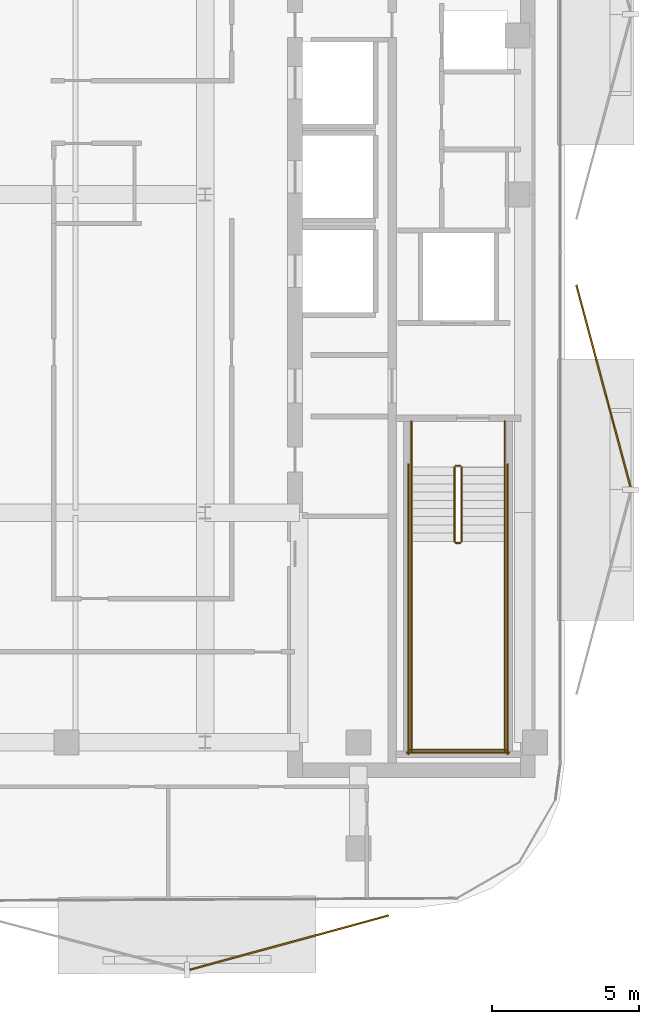
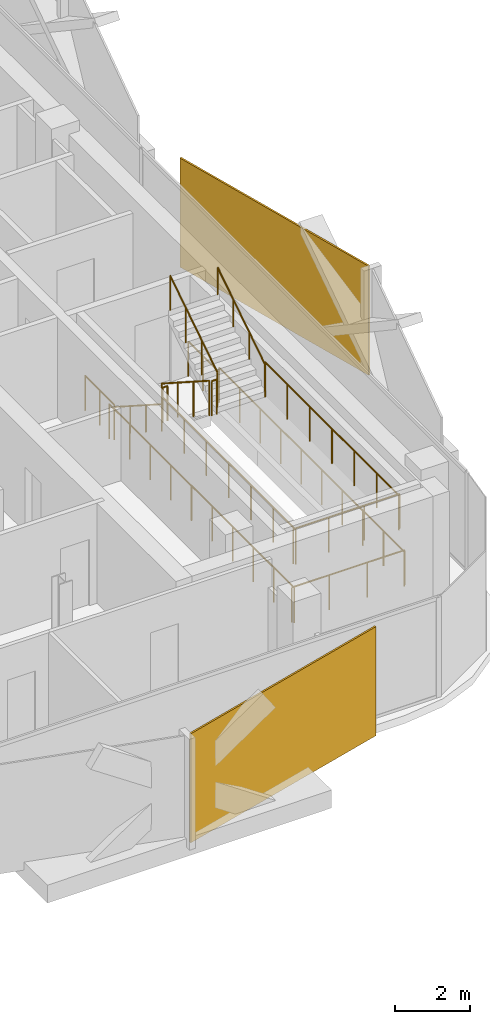
# One storey, part 14 of 15: 14 railings, 2 coverings.
"""IFC4 building model written with IfcOpenShell, lengths in metres."""

import ifcopenshell
import ifcopenshell.guid

model = None  # the IFC model being written
_history = None  # IfcOwnerHistory: only IFC2X3 demands one
_inside = {}  # id of a spatial element -> (the spatial element, [elements in it])
_under = {}  # id of a project, library or spatial element -> (it, [spatial elements below it])
_declared = {}  # id of a project -> (the project, [libraries it declares])
_typed = {}  # id of a type object -> (the type object, [elements of that type])
_made_of = {}  # id of a material, layer set ... -> (it, [elements and type objects made of it])


def new_model(schema):
    """Start an empty IFC model of exactly this schema.

    Asked for "IFC4X3", IfcOpenShell would pick the latest addendum, in which some entities
    have other attributes; the version numbers below select the first issue.
    IFC2X3 requires an IfcOwnerHistory on every rooted entity: one is made here for all.
    """
    global model, _history
    if schema == "IFC4X3":
        model = ifcopenshell.file(schema_version=(4, 3, 0, 0))
    else:
        model = ifcopenshell.file(schema=schema)
    _inside.clear()
    _under.clear()
    _declared.clear()
    _typed.clear()
    _made_of.clear()
    _history = None
    if model.schema == "IFC2X3":
        org = make("IfcOrganization", Name="unknown")
        user = make(
            "IfcPersonAndOrganization",
            ThePerson=make("IfcPerson", FamilyName="unknown"),
            TheOrganization=org,
        )
        app = make(
            "IfcApplication",
            ApplicationDeveloper=org,
            Version="unknown",
            ApplicationFullName="unknown",
            ApplicationIdentifier="unknown",
        )
        _history = make(
            "IfcOwnerHistory",
            OwningUser=user,
            OwningApplication=app,
            ChangeAction="ADDED",
            CreationDate=0,
        )
    return model


def make(cls, **values):
    """One entity of the class cls with the attributes given. An attribute that is None is left unset."""
    return model.create_entity(
        cls, **{name: value for name, value in values.items() if value is not None}
    )


def rooted(cls, **values):
    """An entity with a GlobalId (a new one), such as an element, a storey or a relation."""
    return make(cls, GlobalId=ifcopenshell.guid.new(), OwnerHistory=_history, **values)


def si_unit(unit_type, name, prefix=None):
    """IfcSIUnit, for example si_unit("LENGTHUNIT", "METRE", prefix="MILLI")."""
    return make("IfcSIUnit", UnitType=unit_type, Prefix=prefix, Name=name)


def assignment(units):
    """IfcUnitAssignment: the units of a project."""
    return None if units is None else make("IfcUnitAssignment", Units=units)


def point(xyz):
    """IfcCartesianPoint."""
    return None if xyz is None else make("IfcCartesianPoint", Coordinates=xyz)


def direction(xyz):
    """IfcDirection."""
    return None if xyz is None else make("IfcDirection", DirectionRatios=xyz)


def frame(location, z_axis=None, x_axis=None):
    """IfcAxis2Placement3D, a coordinate frame: its origin and axes. An axis left out is left unset."""
    return make(
        "IfcAxis2Placement3D",
        Location=point(location),
        Axis=direction(z_axis),
        RefDirection=direction(x_axis),
    )


def frame_2d(location, x_axis=None):
    """IfcAxis2Placement2D, a coordinate frame in the plane: its origin and x axis."""
    return make(
        "IfcAxis2Placement2D", Location=point(location), RefDirection=direction(x_axis)
    )


def origin():
    """The frame at (0, 0, 0) with its axes left unset."""
    return frame((0.0, 0.0, 0.0))


def origin_2d():
    """The frame at (0, 0) in the plane with its x axis left unset."""
    return frame_2d((0.0, 0.0))


def place(relative_to, where):
    """IfcLocalPlacement: puts the frame where relative to a parent placement (None: the world)."""
    return make(
        "IfcLocalPlacement", PlacementRelTo=relative_to, RelativePlacement=where
    )


def context(
    kind, dimensions, precision=None, world=None, true_north=None, identifier=None
):
    """IfcGeometricRepresentationContext, for example the 3D "Model" context."""
    return make(
        "IfcGeometricRepresentationContext",
        ContextIdentifier=identifier,
        ContextType=kind,
        CoordinateSpaceDimension=dimensions,
        Precision=precision,
        WorldCoordinateSystem=world,
        TrueNorth=true_north,
    )


def subcontext(parent, identifier, kind, view, scale=None):
    """IfcGeometricRepresentationSubContext, for example "Body" below "Model"."""
    return make(
        "IfcGeometricRepresentationSubContext",
        ContextIdentifier=identifier,
        ContextType=kind,
        ParentContext=parent,
        TargetScale=scale,
        TargetView=view,
    )


def project(units=None, contexts=None):
    """IfcProject with its units and contexts."""
    return rooted(
        "IfcProject",
        Name="project",
        RepresentationContexts=contexts,
        UnitsInContext=assignment(units),
    )


def spatial(cls, under=None, at=None, **own):
    """A site, building, storey or space (cls), placed at a placement, below another one or the project."""
    s = rooted(cls, ObjectPlacement=at, **own)
    if under is not None:
        _under.setdefault(under.id(), (under, []))[1].append(s)
    return s


def profile(cls, at=None, kind="AREA", **sizes):
    """A parametric profile (cls). Its sizes go by their IFC names, for example OverallWidth=200.0."""
    return make(cls, ProfileType=kind, Position=at, **sizes)


def rectangle(**sizes):
    """IfcRectangleProfileDef."""
    return profile("IfcRectangleProfileDef", **sizes)


def circle(**sizes):
    """IfcCircleProfileDef."""
    return profile("IfcCircleProfileDef", **sizes)


def extrude(swept, where, along, depth):
    """IfcExtrudedAreaSolid: the profile swept, set in the frame where, extruded along a direction by depth."""
    return make(
        "IfcExtrudedAreaSolid",
        SweptArea=swept,
        Position=where,
        ExtrudedDirection=direction(along),
        Depth=depth,
    )


def shape(context_of_items, identifier, shape_type, items):
    """IfcShapeRepresentation: the items that make up one representation, for example the "Body"."""
    return make(
        "IfcShapeRepresentation",
        ContextOfItems=context_of_items,
        RepresentationIdentifier=identifier,
        RepresentationType=shape_type,
        Items=items,
    )


def material(Name=None, Category=None):
    """IfcMaterial."""
    return make("IfcMaterial", Name=Name, Category=Category)


def layer(
    of_material, thickness, ventilated=None, Name=None, Category=None, Priority=None
):
    """IfcMaterialLayer: one layer of a wall or slab, of a material (None: an air gap)."""
    return make(
        "IfcMaterialLayer",
        Material=of_material,
        LayerThickness=thickness,
        IsVentilated=ventilated,
        Name=Name,
        Category=Category,
        Priority=Priority,
    )


def layer_set(layers, Name=None):
    """IfcMaterialLayerSet."""
    return make("IfcMaterialLayerSet", MaterialLayers=layers, LayerSetName=Name)


def made_of(thing, what):
    """Note that an element or type object is made of a material, layer set ...; save() writes the relation."""
    if what is not None:
        _made_of.setdefault(what.id(), (what, []))[1].append(thing)
    return thing


def type_object(cls, material=None, **own):
    """A type object (cls), such as IfcWallType, which elements share."""
    return made_of(rooted(cls, **own), material)


def element(
    cls,
    number,
    at=None,
    inside=None,
    cuts=None,
    type_object=None,
    material=None,
    context=None,
    identifier="Body",
    shape_type=None,
    held_by="IfcProductDefinitionShape",
    body=None,
    shapes=None,
    **own,
):
    """One element of the class cls, such as IfcWall. Its Tag is "e" and its number.

    at: its placement. inside: the storey or other place that contains it. cuts: it is an
    opening in that element (IfcRelVoidsElement). A single representation is given by context,
    identifier, shape_type and body (its items); several are given by shapes. held_by: the class
    of the entity that holds the representations. save() writes the other relations.
    """
    e = rooted(cls, Tag="e%d" % number, ObjectPlacement=at, **own)
    if body is not None:
        shapes = [shape(context, identifier, shape_type, body)]
    if shapes is not None:
        e.Representation = make(held_by, Representations=shapes)
    if inside is not None:
        _inside.setdefault(inside.id(), (inside, []))[1].append(e)
    if cuts is not None:
        rooted(
            "IfcRelVoidsElement", RelatingBuildingElement=cuts, RelatedOpeningElement=e
        )
    if type_object is not None:
        _typed.setdefault(type_object.id(), (type_object, []))[1].append(e)
    return made_of(e, material)


def aggregate(whole, parts):
    """IfcRelAggregates: a whole, such as a stair, and the parts it consists of."""
    return rooted("IfcRelAggregates", RelatingObject=whole, RelatedObjects=parts)


def save(model, path):
    """Write the relations noted so far, then the file.

    IfcRelAggregates (storeys below a building ...), IfcRelContainedInSpatialStructure (elements
    in a storey), IfcRelDefinesByType, IfcRelAssociatesMaterial and IfcRelDeclares: one each for
    every whole, place, type object, material and project.
    """
    for whole, parts in _under.values():
        aggregate(whole, parts)
    for where, things in _inside.values():
        rooted(
            "IfcRelContainedInSpatialStructure",
            RelatedElements=things,
            RelatingStructure=where,
        )
    for kind, things in _typed.values():
        rooted("IfcRelDefinesByType", RelatedObjects=things, RelatingType=kind)
    for what, things in _made_of.values():
        rooted("IfcRelAssociatesMaterial", RelatedObjects=things, RelatingMaterial=what)
    for by, libraries in _declared.values():
        rooted("IfcRelDeclares", RelatingContext=by, RelatedDefinitions=libraries)
    model.write(path)


model = new_model("IFC4")

# Units and contexts
model_context = context("Model", 3, precision=1e-05, world=origin(), true_north=direction((0.0, 1.0)))
body_context = subcontext(model_context, "Body", "Model", "MODEL_VIEW")
ifc_project = project(units=[si_unit("LENGTHUNIT", "METRE"), si_unit("AREAUNIT", "SQUARE_METRE"), si_unit("VOLUMEUNIT", "CUBIC_METRE"), si_unit("PLANEANGLEUNIT", "RADIAN"), si_unit("MASSUNIT", "GRAM", prefix="KILO")], contexts=[model_context])

# Site, building, storey
site_placement = place(None, origin())
site = spatial("IfcSite", under=ifc_project, at=site_placement, CompositionType="ELEMENT")
building_placement = place(site_placement, origin())
building = spatial("IfcBuilding", under=site, at=building_placement, Name="Khairoan Windgate Tower", CompositionType="ELEMENT")
storey_placement = place(building_placement, frame((0.0, 0.0, 269.199951171875)))
storey = spatial("IfcBuildingStorey", under=building, at=storey_placement, Name="L64", CompositionType="ELEMENT", Elevation=269.199951171875)

# Coverings
ifc_material_1 = material(Name="Anodised Bronze Aluminium 6063-T6", Category="aluminium")
ifc_layer = layer(ifc_material_1, 0.054931640625, Name="Anodised Bronze Aluminium 6063-T6")
ifc_layer_set = layer_set([ifc_layer], Name="Anodised Bronze Aluminium 6063-T6")
covering_type = type_object("IfcCoveringType", Name="Perforated Bronze-Ceramic Folded Solar Screen Cladding BSC-1", PredefinedType="CLADDING", material=ifc_layer_set)
covering_1_placement = place(storey_placement, frame((12.05419921875, -25.397705078125, -0.099853515625), z_axis=(0.0, 0.0, 1.0), x_axis=(-0.964695449838, -0.263367972734, 0.0)))
element("IfcCovering", 1, at=covering_1_placement, inside=storey, type_object=covering_type, Name="L64 Folded Bronze Solar Screen Facet 441L", PredefinedType="CLADDING", context=body_context, shape_type="SweptSolid", body=[
    extrude(rectangle(XDim=7.0009765625, YDim=0.054931640625, at=origin_2d()), origin(), (0.0, 0.0, 1.0), 3.5400390625),
])
covering_2_placement = place(storey_placement, frame((22.72119140625, -6.503662109375, -0.099853515625), z_axis=(0.0, 0.0, 1.0), x_axis=(0.258819045103, -0.965925826289, 0.0)))
element("IfcCovering", 2, at=covering_2_placement, inside=storey, type_object=covering_type, Name="L64 Folded Bronze Solar Screen Facet 448L", PredefinedType="CLADDING", context=body_context, shape_type="SweptSolid", body=[
    extrude(rectangle(XDim=7.10009765625, YDim=0.054931640625, at=origin_2d()), origin(), (0.0, 0.0, 1.0), 3.5400390625),
])

# Railings
ifc_material_2 = material(Name="Anodised Bronze Aluminium 6063-T6", Category="aluminium")
railing_type_1 = type_object("IfcRailingType", Name="Stair Wall Handrail SHR-900", PredefinedType="HANDRAIL", material=ifc_material_2)
railing_1_placement = place(storey_placement, frame((16.199951171875, -9.260009765625, 0.179931640625)))
element("IfcRailing", 3, at=railing_1_placement, inside=storey, type_object=railing_type_1, Name="L64 ST1 stair handrail 1", PredefinedType="HANDRAIL", context=body_context, shape_type="SweptSolid", body=[
    extrude(circle(Radius=0.02392578125, at=origin_2d()), frame((0.0, 0.0, 0.8759765625), z_axis=(0.0, -0.841162588446, 0.540782303519), x_axis=(1.0, 0.0, 0.0)), (0.0, 0.0, 1.0), 2.995849609375),
    extrude(circle(Radius=0.02099609375, at=origin_2d()), origin(), (0.0, 0.0, 1.0), 0.851806640625),
    extrude(circle(Radius=0.02099609375, at=origin_2d()), frame((0.0, -0.840087890625, 0.5400390625)), (0.0, 0.0, 1.0), 0.851806640625),
    extrude(circle(Radius=0.02099609375, at=origin_2d()), frame((0.0, -1.679931640625, 1.080078125)), (0.0, 0.0, 1.0), 0.851806640625),
    extrude(circle(Radius=0.02099609375, at=origin_2d()), frame((0.0, -2.52001953125, 1.6201171875)), (0.0, 0.0, 1.0), 0.851806640625),
])
railing_2_placement = place(storey_placement, frame((19.3701171875, -11.780029296875, 1.97998046875)))
element("IfcRailing", 4, at=railing_2_placement, inside=storey, type_object=railing_type_1, Name="L64 ST1 stair handrail 2", PredefinedType="HANDRAIL", context=body_context, shape_type="SweptSolid", body=[
    extrude(circle(Radius=0.02392578125, at=origin_2d()), frame((0.0, 0.0, 0.8759765625), z_axis=(0.0, 0.841162588446, 0.540782303519), x_axis=(-1.0, 0.0, 0.0)), (0.0, 0.0, 1.0), 2.995849609375),
    extrude(circle(Radius=0.02099609375, at=origin_2d()), origin(), (0.0, 0.0, 1.0), 0.851806640625),
    extrude(circle(Radius=0.02099609375, at=origin_2d()), frame((0.0, 0.840087890625, 0.5400390625)), (0.0, 0.0, 1.0), 0.851806640625),
    extrude(circle(Radius=0.02099609375, at=origin_2d()), frame((0.0, 1.679931640625, 1.080078125)), (0.0, 0.0, 1.0), 0.851806640625),
    extrude(circle(Radius=0.02099609375, at=origin_2d()), frame((0.0, 2.52001953125, 1.6201171875)), (0.0, 0.0, 1.0), 0.851806640625),
])
ifc_material_3 = material(Name="Steel S355", Category="steel")
railing_type_2 = type_object("IfcRailingType", Name="Stairwell Safety Guardrail SGR-1150", PredefinedType="GUARDRAIL", material=ifc_material_3)
railing_3_placement = place(storey_placement, frame((17.659912109375, -9.260009765625, 0.179931640625)))
element("IfcRailing", 5, at=railing_3_placement, inside=storey, type_object=railing_type_2, Name="L64 ST1 stair guard 1", PredefinedType="GUARDRAIL", context=body_context, shape_type="SweptSolid", body=[
    extrude(circle(Radius=0.02392578125, at=origin_2d()), frame((0.0, 0.0, 1.1259765625), z_axis=(0.0, -0.841162588446, 0.540782303519), x_axis=(1.0, 0.0, 0.0)), (0.0, 0.0, 1.0), 2.995849609375),
    extrude(circle(Radius=0.02099609375, at=origin_2d()), origin(), (0.0, 0.0, 1.0), 1.101806640625),
    extrude(circle(Radius=0.02099609375, at=origin_2d()), frame((0.0, -0.840087890625, 0.5400390625)), (0.0, 0.0, 1.0), 1.101806640625),
    extrude(circle(Radius=0.02099609375, at=origin_2d()), frame((0.0, -1.679931640625, 1.080078125)), (0.0, 0.0, 1.0), 1.101806640625),
    extrude(circle(Radius=0.02099609375, at=origin_2d()), frame((0.0, -2.52001953125, 1.6201171875)), (0.0, 0.0, 1.0), 1.101806640625),
])
railing_4_placement = place(storey_placement, frame((17.7099609375, -11.830078125, 1.800048828125)))
element("IfcRailing", 6, at=railing_4_placement, inside=storey, type_object=railing_type_2, Name="L64 ST1 stair guard 2", PredefinedType="GUARDRAIL", context=body_context, shape_type="SweptSolid", body=[
    extrude(circle(Radius=0.02392578125, at=origin_2d()), frame((0.0, 0.0, 1.1259765625), z_axis=(1.0, 0.0, 0.0), x_axis=(0.0, 1.0, 0.0)), (0.0, 0.0, 1.0), 0.150146484375),
    extrude(circle(Radius=0.02099609375, at=origin_2d()), origin(), (0.0, 0.0, 1.0), 1.101806640625),
    extrude(circle(Radius=0.02099609375, at=origin_2d()), frame((0.150146484375, 0.0, 0.0)), (0.0, 0.0, 1.0), 1.101806640625),
])
for number, where, name in (
    (7, (16.199951171875, -11.780029296875, 1.800048828125), "L64 ST1 stair guard 3"),
    (8, (19.3701171875, -11.780029296875, 1.800048828125), "L64 ST1 stair guard 4"),
):
    element("IfcRailing", number, at=place(storey_placement, frame(where)), inside=storey, type_object=railing_type_2, Name=name, PredefinedType="GUARDRAIL", context=body_context, shape_type="SweptSolid", body=[
        extrude(circle(Radius=0.02392578125, at=origin_2d()), frame((0.0, 0.0, 1.1259765625), z_axis=(0.0, -1.0, 0.0), x_axis=(1.0, 0.0, 0.0)), (0.0, 0.0, 1.0), 7.119873046875),
        extrude(circle(Radius=0.02099609375, at=origin_2d()), origin(), (0.0, 0.0, 1.0), 1.101806640625),
        extrude(circle(Radius=0.02099609375, at=origin_2d()), frame((0.0, -1.1865234375, 0.0)), (0.0, 0.0, 1.0), 1.101806640625),
        extrude(circle(Radius=0.02099609375, at=origin_2d()), frame((0.0, -2.373291015625, 0.0)), (0.0, 0.0, 1.0), 1.101806640625),
        extrude(circle(Radius=0.02099609375, at=origin_2d()), frame((0.0, -3.56005859375, 0.0)), (0.0, 0.0, 1.0), 1.101806640625),
        extrude(circle(Radius=0.02099609375, at=origin_2d()), frame((0.0, -4.74658203125, 0.0)), (0.0, 0.0, 1.0), 1.101806640625),
        extrude(circle(Radius=0.02099609375, at=origin_2d()), frame((0.0, -5.93310546875, 0.0)), (0.0, 0.0, 1.0), 1.101806640625),
        extrude(circle(Radius=0.02099609375, at=origin_2d()), frame((0.0, -7.119873046875, 0.0)), (0.0, 0.0, 1.0), 1.101806640625),
    ])
railing_5_placement = place(storey_placement, frame((16.14990234375, -18.85009765625, 1.800048828125)))
element("IfcRailing", 9, at=railing_5_placement, inside=storey, type_object=railing_type_2, Name="L64 ST1 stair guard 5", PredefinedType="GUARDRAIL", context=body_context, shape_type="SweptSolid", body=[
    extrude(circle(Radius=0.02392578125, at=origin_2d()), frame((0.0, 0.0, 1.1259765625), z_axis=(1.0, 0.0, 0.0), x_axis=(0.0, 1.0, 0.0)), (0.0, 0.0, 1.0), 3.27001953125),
    extrude(circle(Radius=0.02099609375, at=origin_2d()), origin(), (0.0, 0.0, 1.0), 1.101806640625),
    extrude(circle(Radius=0.02099609375, at=origin_2d()), frame((1.090087890625, 0.0, 0.0)), (0.0, 0.0, 1.0), 1.101806640625),
    extrude(circle(Radius=0.02099609375, at=origin_2d()), frame((2.179931640625, 0.0, 0.0)), (0.0, 0.0, 1.0), 1.101806640625),
    extrude(circle(Radius=0.02099609375, at=origin_2d()), frame((3.27001953125, 0.0, 0.0)), (0.0, 0.0, 1.0), 1.101806640625),
])
railing_6_placement = place(storey_placement, frame((17.909912109375, -11.780029296875, 1.97998046875)))
element("IfcRailing", 10, at=railing_6_placement, inside=storey, type_object=railing_type_2, Name="L64 ST1 stair guard 6", PredefinedType="GUARDRAIL", context=body_context, shape_type="SweptSolid", body=[
    extrude(circle(Radius=0.02392578125, at=origin_2d()), frame((0.0, 0.0, 1.1259765625), z_axis=(0.0, 0.841162588446, 0.540782303519), x_axis=(-1.0, 0.0, 0.0)), (0.0, 0.0, 1.0), 2.995849609375),
    extrude(circle(Radius=0.02099609375, at=origin_2d()), origin(), (0.0, 0.0, 1.0), 1.101806640625),
    extrude(circle(Radius=0.02099609375, at=origin_2d()), frame((0.0, 0.840087890625, 0.5400390625)), (0.0, 0.0, 1.0), 1.101806640625),
    extrude(circle(Radius=0.02099609375, at=origin_2d()), frame((0.0, 1.679931640625, 1.080078125)), (0.0, 0.0, 1.0), 1.101806640625),
    extrude(circle(Radius=0.02099609375, at=origin_2d()), frame((0.0, 2.52001953125, 1.6201171875)), (0.0, 0.0, 1.0), 1.101806640625),
])
railing_7_placement = place(storey_placement, frame((17.7099609375, -9.2099609375, 0.0)))
element("IfcRailing", 11, at=railing_7_placement, inside=storey, type_object=railing_type_2, Name="L64 ST1 stair guard 7", PredefinedType="GUARDRAIL", context=body_context, shape_type="SweptSolid", body=[
    extrude(circle(Radius=0.02392578125, at=origin_2d()), frame((0.0, 0.0, 1.1259765625), z_axis=(1.0, 0.0, 0.0), x_axis=(0.0, 1.0, 0.0)), (0.0, 0.0, 1.0), 0.150146484375),
    extrude(circle(Radius=0.02099609375, at=origin_2d()), origin(), (0.0, 0.0, 1.0), 1.101806640625),
    extrude(circle(Radius=0.02099609375, at=origin_2d()), frame((0.150146484375, 0.0, 0.0)), (0.0, 0.0, 1.0), 1.101806640625),
])
for number, where, name in (
    (12, (16.199951171875, -7.699951171875, 0.0), "L64 ST1 stair guard 8"),
    (13, (19.3701171875, -7.699951171875, 0.0), "L64 ST1 stair guard 9"),
):
    element("IfcRailing", number, at=place(storey_placement, frame(where)), inside=storey, type_object=railing_type_2, Name=name, PredefinedType="GUARDRAIL", context=body_context, shape_type="SweptSolid", body=[
        extrude(circle(Radius=0.02392578125, at=origin_2d()), frame((0.0, 0.0, 1.1259765625), z_axis=(0.0, -1.0, 0.0), x_axis=(1.0, 0.0, 0.0)), (0.0, 0.0, 1.0), 1.56005859375),
        extrude(circle(Radius=0.02099609375, at=origin_2d()), origin(), (0.0, 0.0, 1.0), 1.101806640625),
        extrude(circle(Radius=0.02099609375, at=origin_2d()), frame((0.0, -0.780029296875, 0.0)), (0.0, 0.0, 1.0), 1.101806640625),
        extrude(circle(Radius=0.02099609375, at=origin_2d()), frame((0.0, -1.56005859375, 0.0)), (0.0, 0.0, 1.0), 1.101806640625),
    ])
for number, where, name in (
    (14, (16.10009765625, -9.159912109375, 0.0), "L64 ST1 stair guard 10"),
    (15, (19.469970703125, -9.159912109375, 0.0), "L64 ST1 stair guard 11"),
):
    element("IfcRailing", number, at=place(storey_placement, frame(where)), inside=storey, type_object=railing_type_2, Name=name, PredefinedType="GUARDRAIL", context=body_context, shape_type="SweptSolid", body=[
        extrude(circle(Radius=0.02392578125, at=origin_2d()), frame((0.0, 0.0, 1.1259765625), z_axis=(0.0, -1.0, 0.0), x_axis=(1.0, 0.0, 0.0)), (0.0, 0.0, 1.0), 9.840087890625),
        extrude(circle(Radius=0.02099609375, at=origin_2d()), origin(), (0.0, 0.0, 1.0), 1.101806640625),
        extrude(circle(Radius=0.02099609375, at=origin_2d()), frame((0.0, -1.09326171875, 0.0)), (0.0, 0.0, 1.0), 1.101806640625),
        extrude(circle(Radius=0.02099609375, at=origin_2d()), frame((0.0, -2.186767578125, 0.0)), (0.0, 0.0, 1.0), 1.101806640625),
        extrude(circle(Radius=0.02099609375, at=origin_2d()), frame((0.0, -3.280029296875, 0.0)), (0.0, 0.0, 1.0), 1.101806640625),
        extrude(circle(Radius=0.02099609375, at=origin_2d()), frame((0.0, -4.373291015625, 0.0)), (0.0, 0.0, 1.0), 1.101806640625),
        extrude(circle(Radius=0.02099609375, at=origin_2d()), frame((0.0, -5.466796875, 0.0)), (0.0, 0.0, 1.0), 1.101806640625),
        extrude(circle(Radius=0.02099609375, at=origin_2d()), frame((0.0, -6.56005859375, 0.0)), (0.0, 0.0, 1.0), 1.101806640625),
        extrude(circle(Radius=0.02099609375, at=origin_2d()), frame((0.0, -7.6533203125, 0.0)), (0.0, 0.0, 1.0), 1.101806640625),
        extrude(circle(Radius=0.02099609375, at=origin_2d()), frame((0.0, -8.746826171875, 0.0)), (0.0, 0.0, 1.0), 1.101806640625),
        extrude(circle(Radius=0.02099609375, at=origin_2d()), frame((0.0, -9.840087890625, 0.0)), (0.0, 0.0, 1.0), 1.101806640625),
    ])
railing_8_placement = place(storey_placement, frame((16.050048828125, -18.949951171875, 0.0)))
element("IfcRailing", 16, at=railing_8_placement, inside=storey, type_object=railing_type_2, Name="L64 ST1 stair guard 12", PredefinedType="GUARDRAIL", context=body_context, shape_type="SweptSolid", body=[
    extrude(circle(Radius=0.02392578125, at=origin_2d()), frame((0.0, 0.0, 1.1259765625), z_axis=(1.0, 0.0, 0.0), x_axis=(0.0, 1.0, 0.0)), (0.0, 0.0, 1.0), 3.469970703125),
    extrude(circle(Radius=0.02099609375, at=origin_2d()), origin(), (0.0, 0.0, 1.0), 1.101806640625),
    extrude(circle(Radius=0.02099609375, at=origin_2d()), frame((1.15673828125, 0.0, 0.0)), (0.0, 0.0, 1.0), 1.101806640625),
    extrude(circle(Radius=0.02099609375, at=origin_2d()), frame((2.313232421875, 0.0, 0.0)), (0.0, 0.0, 1.0), 1.101806640625),
    extrude(circle(Radius=0.02099609375, at=origin_2d()), frame((3.469970703125, 0.0, 0.0)), (0.0, 0.0, 1.0), 1.101806640625),
])

save(model, "model.ifc")
